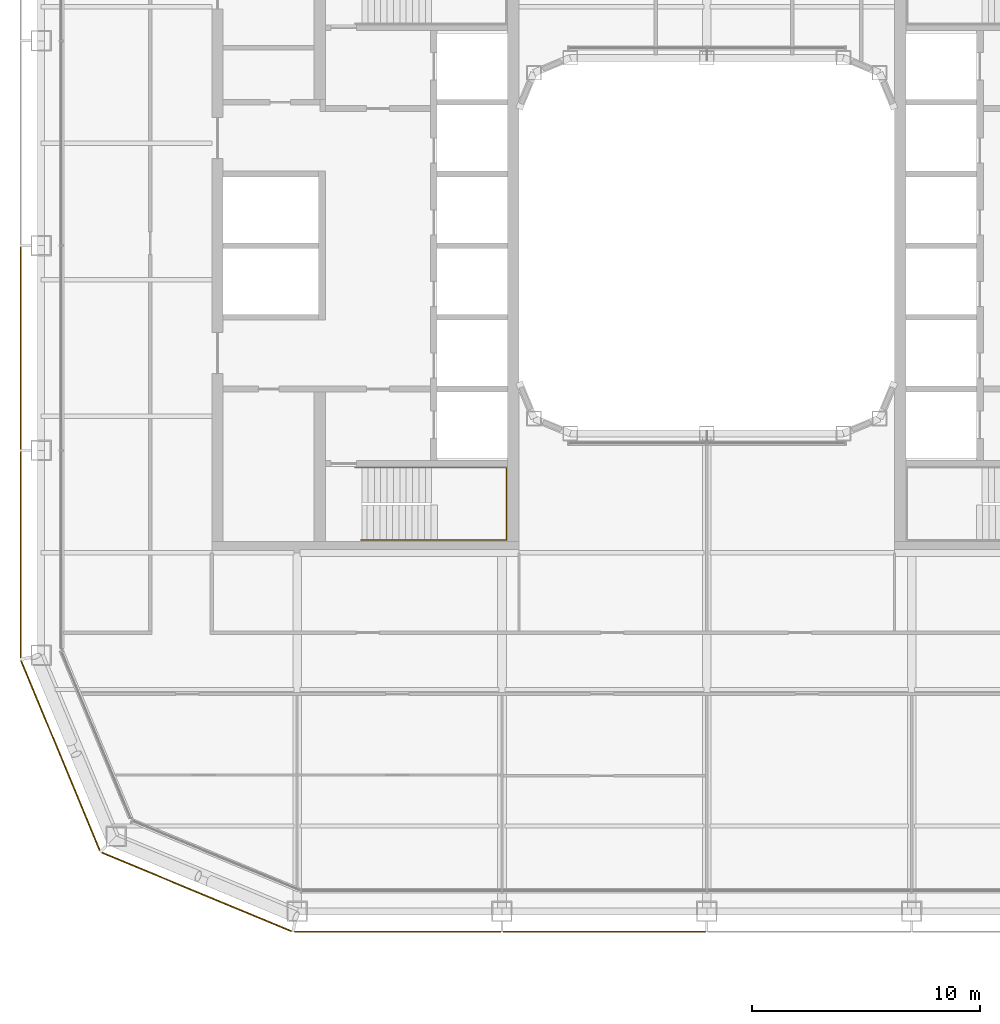
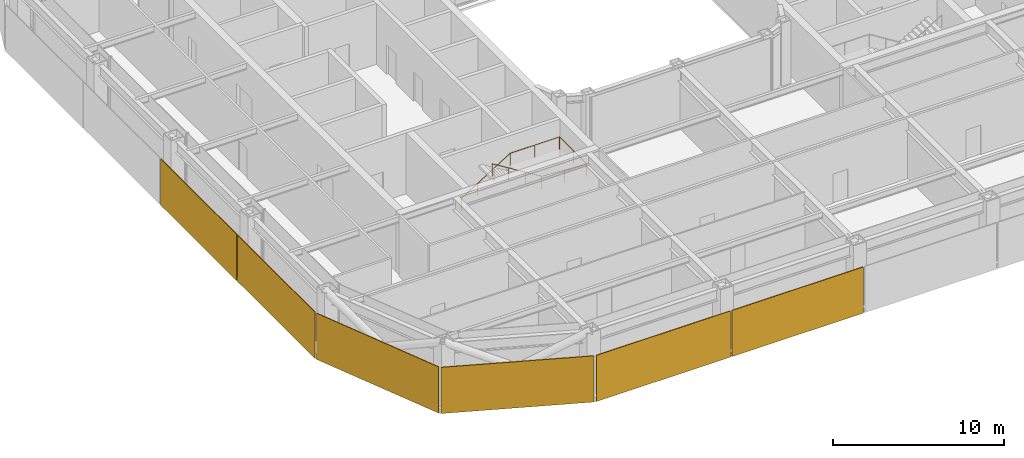
# One storey, part 18 of 23: 6 coverings, 1 railing.
"""IFC4 building model written with IfcOpenShell, lengths in metres."""

from ifc_helpers import new_model, si_unit, direction, frame, origin, origin_2d, place, context, subcontext, project, spatial, rectangle, circle, extrude, material, layer, layer_set, type_object, element, save


model = new_model("IFC4")

# Units and contexts
model_context = context("Model", 3, precision=1e-05, world=origin(), true_north=direction((0.0, 1.0)))
body_context = subcontext(model_context, "Body", "Model", "MODEL_VIEW")
ifc_project = project(units=[si_unit("LENGTHUNIT", "METRE"), si_unit("AREAUNIT", "SQUARE_METRE"), si_unit("VOLUMEUNIT", "CUBIC_METRE"), si_unit("PLANEANGLEUNIT", "RADIAN"), si_unit("MASSUNIT", "GRAM", prefix="KILO")], contexts=[model_context])

# Site, building, storey
site_placement = place(None, origin())
site = spatial("IfcSite", under=ifc_project, at=site_placement, CompositionType="ELEMENT")
building_placement = place(site_placement, origin())
building = spatial("IfcBuilding", under=site, at=building_placement, Name="Siwar Civic Tower", CompositionType="ELEMENT")
storey_placement = place(building_placement, frame((0.0, 0.0, 145.199951171875)))
storey = spatial("IfcBuildingStorey", under=building, at=storey_placement, Name="L31", CompositionType="ELEMENT", Elevation=145.199951171875)

# Railing
ifc_material_1 = material(Name="Stainless steel", Category="steel")
railing_type = type_object("IfcRailingType", Name="CORE-STAIR-HANDRAIL", PredefinedType="HANDRAIL", material=ifc_material_1)
railing_placement = place(storey_placement, frame((-15.449951171875, -9.758056640625, 0.173095703125)))
element("IfcRailing", 1, at=railing_placement, inside=storey, type_object=railing_type, Name="Stair handrail ST2", PredefinedType="HANDRAIL", context=body_context, shape_type="SweptSolid", body=[
    extrude(circle(Radius=0.02001953125, at=origin_2d()), frame((0.0, 0.0, 0.8798828125), z_axis=(0.847063342986, 0.0, 0.531491950051), x_axis=(0.0, 1.0, 0.0)), (0.0, 0.0, 1.0), 3.90771484375),
    extrude(circle(Radius=0.02001953125, at=origin_2d()), frame((3.31005859375, 0.0, 2.956787109375), z_axis=(1.0, 0.0, 0.0), x_axis=(0.0, 1.0, 0.0)), (0.0, 0.0, 1.0), 3.331787109375),
    extrude(circle(Radius=0.02001953125, at=origin_2d()), frame((6.641845703125, 0.0, 2.956787109375), z_axis=(0.0, -1.0, 0.0), x_axis=(1.0, 0.0, 0.0)), (0.0, 0.0, 1.0), 3.183837890625),
    extrude(circle(Radius=0.02001953125, at=origin_2d()), frame((6.641845703125, -3.183837890625, 2.956787109375), z_axis=(-0.99837434197, 0.0, 0.056997134106), x_axis=(0.0, -1.0, 0.0)), (0.0, 0.0, 1.0), 3.036865234375),
    extrude(circle(Radius=0.02001953125, at=origin_2d()), frame((3.60986328125, -3.183837890625, 3.1298828125), z_axis=(-0.850606129759, 0.0, 0.525803396734), x_axis=(0.0, -1.0, 0.0)), (0.0, 0.0, 1.0), 3.949951171875),
    extrude(circle(Radius=0.02001953125, at=origin_2d()), origin(), (0.0, 0.0, 1.0), 0.85986328125),
    extrude(circle(Radius=0.02001953125, at=origin_2d()), frame((1.103271484375, 0.0, 0.6923828125)), (0.0, 0.0, 1.0), 0.85986328125),
    extrude(circle(Radius=0.02001953125, at=origin_2d()), frame((2.206787109375, 0.0, 1.384521484375)), (0.0, 0.0, 1.0), 0.85986328125),
    extrude(circle(Radius=0.02001953125, at=origin_2d()), frame((3.31005859375, 0.0, 2.076904296875)), (0.0, 0.0, 1.0), 0.85986328125),
    extrude(circle(Radius=0.02001953125, at=origin_2d()), frame((4.97607421875, 0.0, 2.076904296875)), (0.0, 0.0, 1.0), 0.85986328125),
    extrude(circle(Radius=0.02001953125, at=origin_2d()), frame((6.641845703125, 0.0, 2.076904296875)), (0.0, 0.0, 1.0), 0.85986328125),
    extrude(circle(Radius=0.02001953125, at=origin_2d()), frame((6.641845703125, -1.591796875, 2.076904296875)), (0.0, 0.0, 1.0), 0.85986328125),
    extrude(circle(Radius=0.02001953125, at=origin_2d()), frame((6.641845703125, -3.183837890625, 2.076904296875)), (0.0, 0.0, 1.0), 0.85986328125),
    extrude(circle(Radius=0.02001953125, at=origin_2d()), frame((5.1259765625, -3.183837890625, 2.16357421875)), (0.0, 0.0, 1.0), 0.85986328125),
    extrude(circle(Radius=0.02001953125, at=origin_2d()), frame((3.60986328125, -3.183837890625, 2.25)), (0.0, 0.0, 1.0), 0.85986328125),
    extrude(circle(Radius=0.02001953125, at=origin_2d()), frame((2.489990234375, -3.183837890625, 2.9423828125)), (0.0, 0.0, 1.0), 0.85986328125),
    extrude(circle(Radius=0.02001953125, at=origin_2d()), frame((1.369873046875, -3.183837890625, 3.634521484375)), (0.0, 0.0, 1.0), 0.85986328125),
    extrude(circle(Radius=0.02001953125, at=origin_2d()), frame((0.25, -3.183837890625, 4.326904296875)), (0.0, 0.0, 1.0), 0.85986328125),
])

# Coverings
ifc_material_2 = material(Name="Perforated aluminium cassette, pale metal", Category="aluminium")
ifc_layer_1 = layer(ifc_material_2, 0.050048828125)
ifc_layer_set_1 = layer_set([ifc_layer_1], Name="Perforated aluminium cassette, pale metal")
covering_type_1 = type_object("IfcCoveringType", Name="ENV-OUTER SKIN OS-3", PredefinedType="CLADDING", material=ifc_layer_set_1)
covering_1_placement = place(storey_placement, frame((-30.14990234375, -4.5, -0.14990234375), z_axis=(0.0, 0.0, 1.0), x_axis=(0.0, -1.0, 0.0)))
element("IfcCovering", 2, at=covering_1_placement, inside=storey, type_object=covering_type_1, Name="OUTER SKIN OS-3 W 3", PredefinedType="CLADDING", context=body_context, shape_type="SweptSolid", body=[
    extrude(rectangle(XDim=8.89990234375, YDim=0.050048828125, at=origin_2d()), origin(), (0.0, 0.0, 1.0), 3.300048828125),
])
covering_2_placement = place(storey_placement, frame((-30.14990234375, -13.57958984375, -0.14990234375), z_axis=(0.0, 0.0, 1.0), x_axis=(0.0, -1.0, 0.0)))
element("IfcCovering", 3, at=covering_2_placement, inside=storey, type_object=covering_type_1, Name="OUTER SKIN OS-3 W 4", PredefinedType="CLADDING", context=body_context, shape_type="SweptSolid", body=[
    extrude(rectangle(XDim=9.05908203125, YDim=0.050048828125, at=origin_2d()), origin(), (0.0, 0.0, 1.0), 3.300048828125),
])
ifc_material_3 = material(Name="Perforated aluminium cassette, pale metal", Category="aluminium")
ifc_layer_2 = layer(ifc_material_3, 0.054931640625)
ifc_layer_set_2 = layer_set([ifc_layer_2], Name="Perforated aluminium cassette, pale metal")
covering_type_2 = type_object("IfcCoveringType", Name="ENV-OUTER SKIN OS-4", PredefinedType="CLADDING", material=ifc_layer_set_2)
covering_3_placement = place(storey_placement, frame((-13.57958984375, -30.14990234375, -0.14990234375), z_axis=(0.0, 0.0, 1.0), x_axis=(1.0, 0.0, 0.0)))
element("IfcCovering", 4, at=covering_3_placement, inside=storey, type_object=covering_type_2, Name="OUTER SKIN OS-4 S 1", PredefinedType="CLADDING", context=body_context, shape_type="SweptSolid", body=[
    extrude(rectangle(XDim=9.05908203125, YDim=0.054931640625, at=origin_2d()), origin(), (0.0, 0.0, 1.0), 3.300048828125),
])
covering_4_placement = place(storey_placement, frame((-4.5, -30.14990234375, -0.14990234375), z_axis=(0.0, 0.0, 1.0), x_axis=(1.0, 0.0, 0.0)))
element("IfcCovering", 5, at=covering_4_placement, inside=storey, type_object=covering_type_2, Name="OUTER SKIN OS-4 S 2", PredefinedType="CLADDING", context=body_context, shape_type="SweptSolid", body=[
    extrude(rectangle(XDim=8.89990234375, YDim=0.054931640625, at=origin_2d()), origin(), (0.0, 0.0, 1.0), 3.300048828125),
])
for number, where, z_axis, x_axis, name in (
    (6, (-28.39697265625, -22.411376953125, -0.14990234375), (0.0, 0.0, 1.0), (0.382683432365, -0.923879532511, 0.0), "OUTER SKIN OS-4 SW1 1"),
    (7, (-22.411376953125, -28.39697265625, -0.14990234375), (0.0, 0.0, 1.0), (0.923879532511, -0.382683432365, 0.0), "OUTER SKIN OS-4 SW2 1"),
):
    element("IfcCovering", number, at=place(storey_placement, frame(where, z_axis=z_axis, x_axis=x_axis)), inside=storey, type_object=covering_type_2, Name=name, PredefinedType="CLADDING", context=body_context, shape_type="SweptSolid", body=[
        extrude(rectangle(XDim=9.022216796875, YDim=0.054931640625, at=origin_2d()), origin(), (0.0, 0.0, 1.0), 3.300048828125),
    ])

save(model, "model.ifc")
